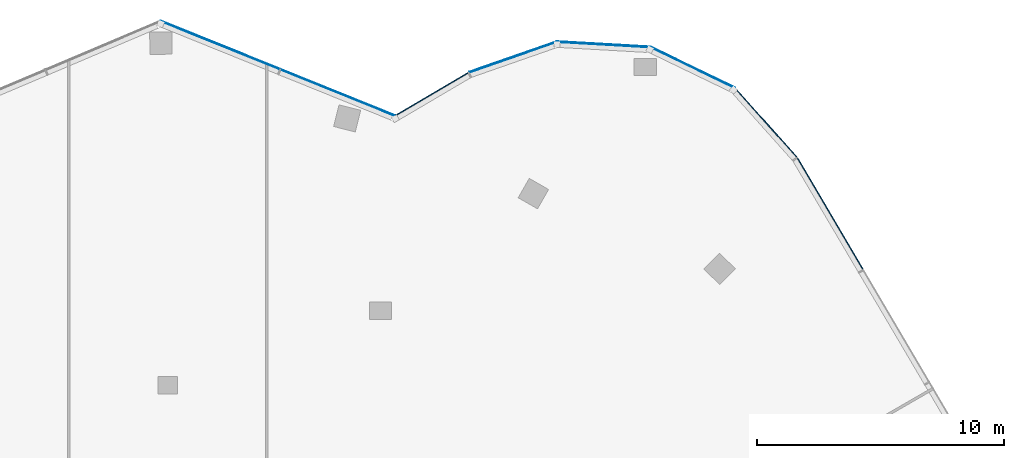
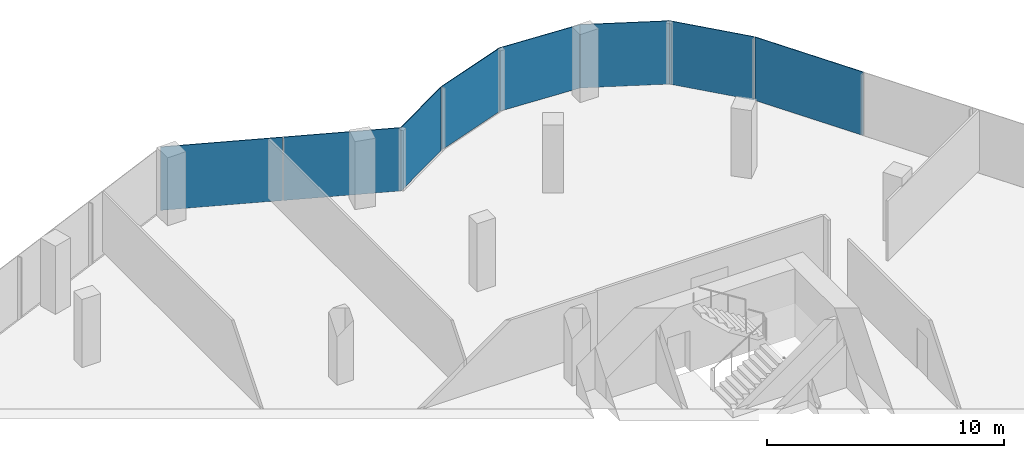
# One storey, part 11 of 16: 8 plates, 7 elements without a shape of their own.
"""IFC4 building model written with IfcOpenShell, lengths in metres."""

from ifc_helpers import new_model, si_unit, direction, frame, origin, origin_2d, place, context, subcontext, project, spatial, rectangle, extrude, material, layer, layer_set, type_object, element, aggregate, save


model = new_model("IFC4")

# Units and contexts
model_context = context("Model", 3, precision=1e-05, world=origin(), true_north=direction((0.0, 1.0)))
body_context = subcontext(model_context, "Body", "Model", "MODEL_VIEW")
ifc_project = project(units=[si_unit("LENGTHUNIT", "METRE"), si_unit("AREAUNIT", "SQUARE_METRE"), si_unit("VOLUMEUNIT", "CUBIC_METRE"), si_unit("PLANEANGLEUNIT", "RADIAN"), si_unit("MASSUNIT", "GRAM", prefix="KILO")], contexts=[model_context])

# Site, building, storey
site_placement = place(None, origin())
site = spatial("IfcSite", under=ifc_project, at=site_placement, CompositionType="ELEMENT")
building_placement = place(site_placement, origin())
building = spatial("IfcBuilding", under=site, at=building_placement, Name="Orlundy Tower", CompositionType="ELEMENT")
storey_placement = place(building_placement, frame((0.0, 0.0, 292.89990234375)))
storey = spatial("IfcBuildingStorey", under=building, at=storey_placement, Name="L78", CompositionType="ELEMENT", Elevation=292.89990234375)

# Curtain wall, plates
ifc_material_1 = material(Name="Aluminium bronze anodised", Category="aluminium")
curtain_wall_type = type_object("IfcCurtainWallType", Name="CW6 wall", PredefinedType="NOTDEFINED", material=ifc_material_1)
curtain_wall_1_placement = place(storey_placement, origin())
curtain_wall_1 = element("IfcCurtainWall", 1, at=curtain_wall_1_placement, inside=storey, type_object=curtain_wall_type, Name="CW6 run 017", PredefinedType="NOTDEFINED")
ifc_material_2 = material(Name="Tinted glass", Category="glass")
ifc_layer = layer(ifc_material_2, 0.035888671875)
ifc_layer_set = layer_set([ifc_layer], Name="CW6 glass panel 36")
plate_type = type_object("IfcPlateType", Name="CW6 glass panel 36", PredefinedType="CURTAIN_PANEL", material=ifc_layer_set)
plate_1_placement = place(storey_placement, frame((2.11865234375, 31.739990234375, -0.15966796875), z_axis=(0.0, 0.0, 1.0), x_axis=(0.927170719858, -0.374639101319, 0.0)))
plate_1 = element("IfcPlate", 2, at=plate_1_placement, type_object=plate_type, Name="CW6 panel", PredefinedType="CURTAIN_PANEL", context=body_context, shape_type="SweptSolid", body=[
    extrude(rectangle(XDim=5.185302734375, YDim=0.035888671875, at=origin_2d()), origin(), (0.0, 0.0, 1.0), 3.260009765625),
])
plate_2_placement = place(storey_placement, frame((6.879150390625, 29.81640625, -0.15966796875), z_axis=(0.0, 0.0, 1.0), x_axis=(0.927170719858, -0.374639101319, 0.0)))
plate_2 = element("IfcPlate", 3, at=plate_2_placement, type_object=plate_type, Name="CW6 panel", PredefinedType="CURTAIN_PANEL", context=body_context, shape_type="SweptSolid", body=[
    extrude(rectangle(XDim=4.98388671875, YDim=0.035888671875, at=origin_2d()), origin(), (0.0, 0.0, 1.0), 3.260009765625),
])
aggregate(curtain_wall_1, [plate_1, plate_2])

# Curtain wall, plate
curtain_wall_2_placement = place(storey_placement, origin())
curtain_wall_2 = element("IfcCurtainWall", 4, at=curtain_wall_2_placement, inside=storey, type_object=curtain_wall_type, Name="CW6 run 018", PredefinedType="NOTDEFINED")
plate_3_placement = place(storey_placement, frame((10.6630859375, 29.750732421875, -0.15966796875), z_axis=(0.0, 0.0, 1.0), x_axis=(0.861635724688, 0.507527218917, 0.0)))
plate_3 = element("IfcPlate", 5, at=plate_3_placement, type_object=plate_type, Name="CW6 panel", PredefinedType="CURTAIN_PANEL", context=body_context, shape_type="SweptSolid", body=[
    extrude(rectangle(XDim=3.420166015625, YDim=0.035888671875, at=origin_2d()), origin(), (0.0, 0.0, 1.0), 3.260009765625),
])
aggregate(curtain_wall_2, [plate_3])

curtain_wall_3_placement = place(storey_placement, origin())
curtain_wall_3 = element("IfcCurtainWall", 6, at=curtain_wall_3_placement, inside=storey, type_object=curtain_wall_type, Name="CW6 run 019", PredefinedType="NOTDEFINED")
plate_4_placement = place(storey_placement, frame((13.95068359375, 31.25732421875, -0.15966796875), z_axis=(0.0, 0.0, 1.0), x_axis=(0.944081083956, 0.32971337085, 0.0)))
plate_4 = element("IfcPlate", 7, at=plate_4_placement, type_object=plate_type, Name="CW6 panel", PredefinedType="CURTAIN_PANEL", context=body_context, shape_type="SweptSolid", body=[
    extrude(rectangle(XDim=3.7470703125, YDim=0.035888671875, at=origin_2d()), origin(), (0.0, 0.0, 1.0), 3.260009765625),
])
aggregate(curtain_wall_3, [plate_4])

curtain_wall_4_placement = place(storey_placement, origin())
curtain_wall_4 = element("IfcCurtainWall", 8, at=curtain_wall_4_placement, inside=storey, type_object=curtain_wall_type, Name="CW6 run 020", PredefinedType="NOTDEFINED")
plate_5_placement = place(storey_placement, frame((17.614013671875, 31.767578125, -0.15966796875), z_axis=(0.0, 0.0, 1.0), x_axis=(0.998394082315, -0.056650299193, 0.0)))
plate_5 = element("IfcPlate", 9, at=plate_5_placement, type_object=plate_type, Name="CW6 panel", PredefinedType="CURTAIN_PANEL", context=body_context, shape_type="SweptSolid", body=[
    extrude(rectangle(XDim=3.79541015625, YDim=0.035888671875, at=origin_2d()), origin(), (0.0, 0.0, 1.0), 3.260009765625),
])
aggregate(curtain_wall_4, [plate_5])

curtain_wall_5_placement = place(storey_placement, origin())
curtain_wall_5 = element("IfcCurtainWall", 10, at=curtain_wall_5_placement, inside=storey, type_object=curtain_wall_type, Name="CW6 run 021", PredefinedType="NOTDEFINED")
plate_6_placement = place(storey_placement, frame((21.217529296875, 30.83544921875, -0.15966796875), z_axis=(0.0, 0.0, 1.0), x_axis=(0.900598982958, -0.434650977101, 0.0)))
plate_6 = element("IfcPlate", 11, at=plate_6_placement, type_object=plate_type, Name="CW6 panel", PredefinedType="CURTAIN_PANEL", context=body_context, shape_type="SweptSolid", body=[
    extrude(rectangle(XDim=3.794677734375, YDim=0.035888671875, at=origin_2d()), origin(), (0.0, 0.0, 1.0), 3.260009765625),
])
aggregate(curtain_wall_5, [plate_6])

curtain_wall_6_placement = place(storey_placement, origin())
curtain_wall_6 = element("IfcCurtainWall", 12, at=curtain_wall_6_placement, inside=storey, type_object=curtain_wall_type, Name="CW6 run 022", PredefinedType="NOTDEFINED")
plate_7_placement = place(storey_placement, frame((24.17431640625, 28.613037109375, -0.15966796875), z_axis=(0.0, 0.0, 1.0), x_axis=(0.666053294525, -0.745904155272, 0.0)))
plate_7 = element("IfcPlate", 13, at=plate_7_placement, type_object=plate_type, Name="CW6 panel", PredefinedType="CURTAIN_PANEL", context=body_context, shape_type="SweptSolid", body=[
    extrude(rectangle(XDim=3.747802734375, YDim=0.035888671875, at=origin_2d()), origin(), (0.0, 0.0, 1.0), 3.260009765625),
])
aggregate(curtain_wall_6, [plate_7])

curtain_wall_7_placement = place(storey_placement, origin())
curtain_wall_7 = element("IfcCurtainWall", 14, at=curtain_wall_7_placement, inside=storey, type_object=curtain_wall_type, Name="CW6 run 023", PredefinedType="NOTDEFINED")
plate_8_placement = place(storey_placement, frame((26.777099609375, 24.92529296875, -0.15966796875), z_axis=(0.0, 0.0, 1.0), x_axis=(0.507531980737, -0.861632919827, 0.0)))
plate_8 = element("IfcPlate", 15, at=plate_8_placement, type_object=plate_type, Name="CW6 panel", PredefinedType="CURTAIN_PANEL", context=body_context, shape_type="SweptSolid", body=[
    extrude(rectangle(XDim=5.2216796875, YDim=0.035888671875, at=origin_2d()), origin(), (0.0, 0.0, 1.0), 3.260009765625),
])
aggregate(curtain_wall_7, [plate_8])

save(model, "model.ifc")
